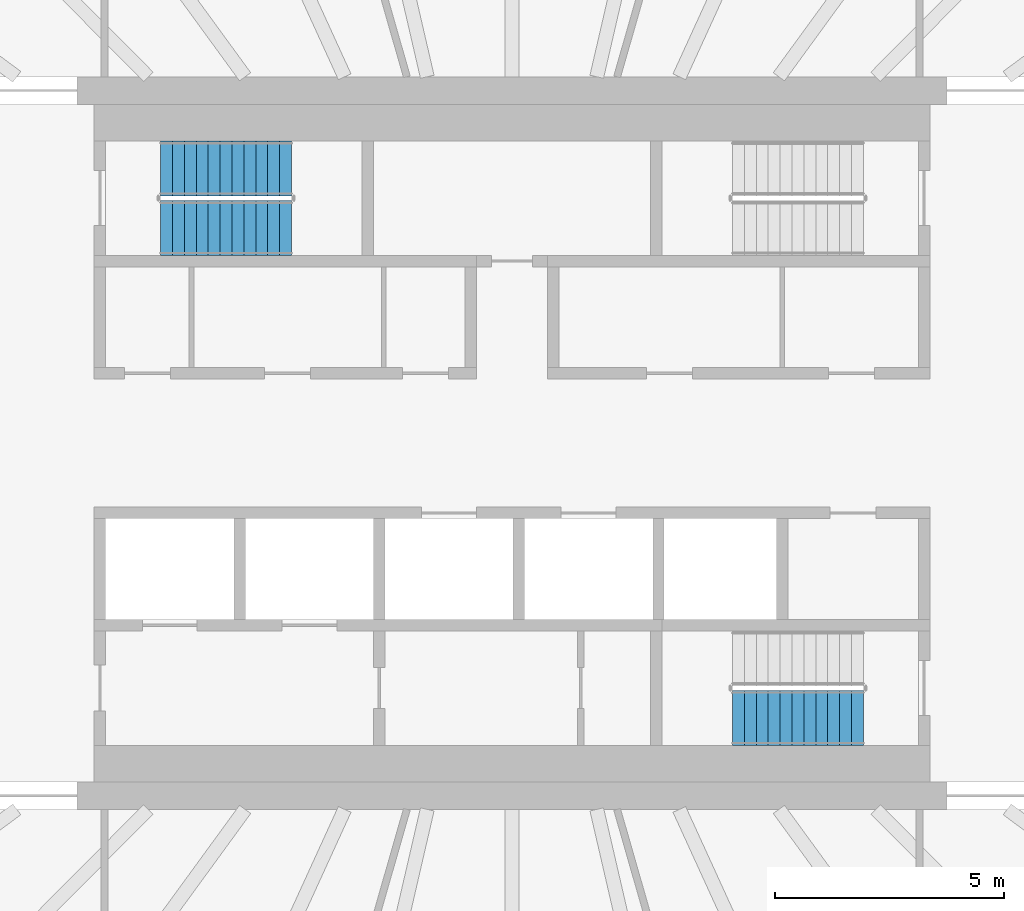
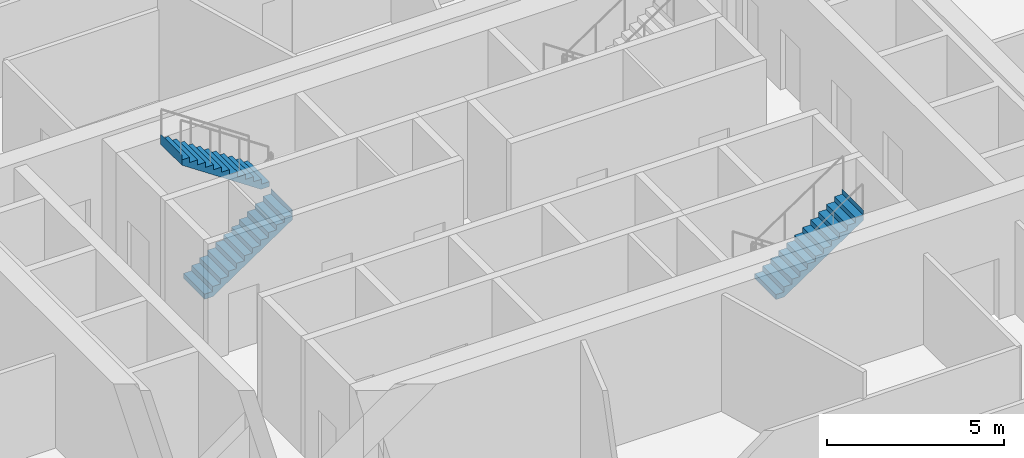
# One storey, part 18 of 25: 3 stair flights, 2 elements without a shape of their own.
"""IFC4 building model written with IfcOpenShell, lengths in metres."""

from ifc_helpers import new_model, si_unit, direction, frame, origin, place, context, subcontext, project, spatial, triangles, material, type_object, element, aggregate, save


model = new_model("IFC4")

# Units and contexts
model_context = context("Model", 3, precision=1e-05, world=origin(), true_north=direction((0.0, 1.0)))
body_context = subcontext(model_context, "Body", "Model", "MODEL_VIEW")
ifc_project = project(units=[si_unit("LENGTHUNIT", "METRE"), si_unit("AREAUNIT", "SQUARE_METRE"), si_unit("VOLUMEUNIT", "CUBIC_METRE"), si_unit("PLANEANGLEUNIT", "RADIAN"), si_unit("MASSUNIT", "GRAM", prefix="KILO")], contexts=[model_context])

# Site, building, storey
site_placement = place(None, origin())
site = spatial("IfcSite", under=ifc_project, at=site_placement, CompositionType="ELEMENT")
building_placement = place(site_placement, origin())
building = spatial("IfcBuilding", under=site, at=building_placement, Name="Sahrelin Media Tower", CompositionType="ELEMENT")
storey_placement = place(building_placement, frame((0.0, 0.0, 63.0)))
storey = spatial("IfcBuildingStorey", under=building, at=storey_placement, Name="L10", CompositionType="ELEMENT", Elevation=63.0)

# Stair, stair flights
ifc_material = material(Name="Concrete C40/50", Category="concrete")
stair_type = type_object("IfcStairType", Name="Exit stair 1200", PredefinedType="HALF_TURN_STAIR", material=ifc_material)
placement = place(storey_placement, origin())
stair_1 = element("IfcStair", 1, at=placement, inside=storey, type_object=stair_type, Name="L10 Exit stair ST1", PredefinedType="HALF_TURN_STAIR")
stair_flight_type = type_object("IfcStairFlightType", Name="Stair flight 1200", PredefinedType="STRAIGHT", material=ifc_material)
stair_flight_1_placement = place(storey_placement, frame((-7.675048828125, 4.699951171875, 0.0), z_axis=(0.0, 0.0, 1.0), x_axis=(1.0, 0.0, 0.0)))
stair_flight_1 = element("IfcStairFlight", 2, at=stair_flight_1_placement, type_object=stair_flight_type, Name="ST1 flight 1", NumberOfRisers=12, NumberOfTreads=11, PredefinedType="STRAIGHT", RiserHeight=0.175, TreadLength=0.26, context=body_context, shape_type="Tessellation", body=[
    triangles([(0.2685546875, 0.60009765625, 0.0), (0.2685546875, 0.300048828125, 0.0), (0.2685546875, 0.0, 0.0), (0.2685546875, -0.300048828125, 0.0), (0.2685546875, -0.60009765625, 0.0), (2.860107421875, 0.60009765625, 1.744384765625), (2.860107421875, 0.300048828125, 1.744384765625), (2.860107421875, 0.0, 1.744384765625), (2.860107421875, -0.300048828125, 1.744384765625), (2.860107421875, -0.60009765625, 1.744384765625), (2.860107421875, 0.60009765625, 2.10009765625), (2.860107421875, 0.300048828125, 2.10009765625), (2.860107421875, 0.0, 2.10009765625), (2.860107421875, -0.300048828125, 2.10009765625), (2.860107421875, -0.60009765625, 2.10009765625), (2.85791015625, 0.60009765625, 2.10009765625), (2.85791015625, 0.300048828125, 2.10009765625), (2.85791015625, 0.0, 2.10009765625), (2.85791015625, -0.300048828125, 2.10009765625), (2.85791015625, -0.60009765625, 2.10009765625), (2.85791015625, 0.60009765625, 1.925048828125), (2.85791015625, 0.300048828125, 1.925048828125), (2.85791015625, 0.0, 1.925048828125), (2.85791015625, -0.300048828125, 1.925048828125), (2.85791015625, -0.60009765625, 1.925048828125), (2.60009765625, 0.60009765625, 1.925048828125), (2.60009765625, 0.300048828125, 1.925048828125), (2.60009765625, 0.0, 1.925048828125), (2.60009765625, -0.300048828125, 1.925048828125), (2.60009765625, -0.60009765625, 1.925048828125), (2.60009765625, 0.60009765625, 1.75), (2.60009765625, 0.300048828125, 1.75), (2.60009765625, 0.0, 1.75), (2.60009765625, -0.300048828125, 1.75), (2.60009765625, -0.60009765625, 1.75), (2.340087890625, 0.60009765625, 1.75), (2.340087890625, 0.300048828125, 1.75), (2.340087890625, 0.0, 1.75), (2.340087890625, -0.300048828125, 1.75), (2.340087890625, -0.60009765625, 1.75), (2.340087890625, 0.60009765625, 1.574951171875), (2.340087890625, 0.300048828125, 1.574951171875), (2.340087890625, 0.0, 1.574951171875), (2.340087890625, -0.300048828125, 1.574951171875), (2.340087890625, -0.60009765625, 1.574951171875), (2.080078125, 0.60009765625, 1.574951171875), (2.080078125, 0.300048828125, 1.574951171875), (2.080078125, 0.0, 1.574951171875), (2.080078125, -0.300048828125, 1.574951171875), (2.080078125, -0.60009765625, 1.574951171875), (2.080078125, 0.60009765625, 1.39990234375), (2.080078125, 0.300048828125, 1.39990234375), (2.080078125, 0.0, 1.39990234375), (2.080078125, -0.300048828125, 1.39990234375), (2.080078125, -0.60009765625, 1.39990234375), (1.820068359375, 0.60009765625, 1.39990234375), (1.820068359375, 0.300048828125, 1.39990234375), (1.820068359375, 0.0, 1.39990234375), (1.820068359375, -0.300048828125, 1.39990234375), (1.820068359375, -0.60009765625, 1.39990234375), (1.820068359375, 0.60009765625, 1.22509765625), (1.820068359375, 0.300048828125, 1.22509765625), (1.820068359375, 0.0, 1.22509765625), (1.820068359375, -0.300048828125, 1.22509765625), (1.820068359375, -0.60009765625, 1.22509765625), (1.56005859375, 0.60009765625, 1.22509765625), (1.56005859375, 0.300048828125, 1.22509765625), (1.56005859375, 0.0, 1.22509765625), (1.56005859375, -0.300048828125, 1.22509765625), (1.56005859375, -0.60009765625, 1.22509765625), (1.56005859375, 0.60009765625, 1.050048828125), (1.56005859375, 0.300048828125, 1.050048828125), (1.56005859375, 0.0, 1.050048828125), (1.56005859375, -0.300048828125, 1.050048828125), (1.56005859375, -0.60009765625, 1.050048828125), (1.300048828125, 0.60009765625, 1.050048828125), (1.300048828125, 0.300048828125, 1.050048828125), (1.300048828125, 0.0, 1.050048828125), (1.300048828125, -0.300048828125, 1.050048828125), (1.300048828125, -0.60009765625, 1.050048828125), (1.300048828125, 0.60009765625, 0.875), (1.300048828125, 0.300048828125, 0.875), (1.300048828125, 0.0, 0.875), (1.300048828125, -0.300048828125, 0.875), (1.300048828125, -0.60009765625, 0.875), (1.0400390625, 0.60009765625, 0.875), (1.0400390625, 0.300048828125, 0.875), (1.0400390625, 0.0, 0.875), (1.0400390625, -0.300048828125, 0.875), (1.0400390625, -0.60009765625, 0.875), (1.0400390625, 0.60009765625, 0.699951171875), (1.0400390625, 0.300048828125, 0.699951171875), (1.0400390625, 0.0, 0.699951171875), (1.0400390625, -0.300048828125, 0.699951171875), (1.0400390625, -0.60009765625, 0.699951171875), (0.780029296875, 0.60009765625, 0.699951171875), (0.780029296875, 0.300048828125, 0.699951171875), (0.780029296875, 0.0, 0.699951171875), (0.780029296875, -0.300048828125, 0.699951171875), (0.780029296875, -0.60009765625, 0.699951171875), (0.780029296875, 0.60009765625, 0.52490234375), (0.780029296875, 0.300048828125, 0.52490234375), (0.780029296875, 0.0, 0.52490234375), (0.780029296875, -0.300048828125, 0.52490234375), (0.780029296875, -0.60009765625, 0.52490234375), (0.52001953125, 0.60009765625, 0.52490234375), (0.52001953125, 0.300048828125, 0.52490234375), (0.52001953125, 0.0, 0.52490234375), (0.52001953125, -0.300048828125, 0.52490234375), (0.52001953125, -0.60009765625, 0.52490234375), (0.52001953125, 0.60009765625, 0.35009765625), (0.52001953125, 0.300048828125, 0.35009765625), (0.52001953125, 0.0, 0.35009765625), (0.52001953125, -0.300048828125, 0.35009765625), (0.52001953125, -0.60009765625, 0.35009765625), (0.260009765625, 0.60009765625, 0.35009765625), (0.260009765625, 0.300048828125, 0.35009765625), (0.260009765625, 0.0, 0.35009765625), (0.260009765625, -0.300048828125, 0.35009765625), (0.260009765625, -0.60009765625, 0.35009765625), (0.260009765625, 0.60009765625, 0.175048828125), (0.260009765625, 0.300048828125, 0.175048828125), (0.260009765625, 0.0, 0.175048828125), (0.260009765625, -0.300048828125, 0.175048828125), (0.260009765625, -0.60009765625, 0.175048828125), (0.0, 0.60009765625, 0.175048828125), (0.0, 0.300048828125, 0.175048828125), (0.0, 0.0, 0.175048828125), (0.0, -0.300048828125, 0.175048828125), (0.0, -0.60009765625, 0.175048828125), (0.0, 0.60009765625, 0.0), (0.0, 0.300048828125, 0.0), (0.0, 0.0, 0.0), (0.0, -0.300048828125, 0.0), (0.0, -0.60009765625, 0.0)], [[1, 6, 7], [1, 7, 2], [2, 7, 8], [2, 8, 3], [3, 8, 9], [3, 9, 4], [4, 9, 10], [4, 10, 5], [6, 11, 12], [6, 12, 7], [7, 12, 13], [7, 13, 8], [8, 13, 14], [8, 14, 9], [9, 14, 15], [9, 15, 10], [11, 16, 17], [11, 17, 12], [12, 17, 18], [12, 18, 13], [13, 18, 19], [13, 19, 14], [14, 19, 20], [14, 20, 15], [16, 21, 22], [16, 22, 17], [17, 22, 23], [17, 23, 18], [18, 23, 24], [18, 24, 19], [19, 24, 25], [19, 25, 20], [21, 26, 27], [21, 27, 22], [22, 27, 28], [22, 28, 23], [23, 28, 29], [23, 29, 24], [24, 29, 30], [24, 30, 25], [26, 31, 32], [26, 32, 27], [27, 32, 33], [27, 33, 28], [28, 33, 34], [28, 34, 29], [29, 34, 35], [29, 35, 30], [31, 36, 37], [31, 37, 32], [32, 37, 38], [32, 38, 33], [33, 38, 39], [33, 39, 34], [34, 39, 40], [34, 40, 35], [36, 41, 42], [36, 42, 37], [37, 42, 43], [37, 43, 38], [38, 43, 44], [38, 44, 39], [39, 44, 45], [39, 45, 40], [41, 46, 47], [41, 47, 42], [42, 47, 48], [42, 48, 43], [43, 48, 49], [43, 49, 44], [44, 49, 50], [44, 50, 45], [46, 51, 52], [46, 52, 47], [47, 52, 53], [47, 53, 48], [48, 53, 54], [48, 54, 49], [49, 54, 55], [49, 55, 50], [51, 56, 57], [51, 57, 52], [52, 57, 58], [52, 58, 53], [53, 58, 59], [53, 59, 54], [54, 59, 60], [54, 60, 55], [56, 61, 62], [56, 62, 57], [57, 62, 63], [57, 63, 58], [58, 63, 64], [58, 64, 59], [59, 64, 65], [59, 65, 60], [61, 66, 67], [61, 67, 62], [62, 67, 68], [62, 68, 63], [63, 68, 69], [63, 69, 64], [64, 69, 70], [64, 70, 65], [66, 71, 72], [66, 72, 67], [67, 72, 73], [67, 73, 68], [68, 73, 74], [68, 74, 69], [69, 74, 75], [69, 75, 70], [71, 76, 77], [71, 77, 72], [72, 77, 78], [72, 78, 73], [73, 78, 79], [73, 79, 74], [74, 79, 80], [74, 80, 75], [76, 81, 82], [76, 82, 77], [77, 82, 83], [77, 83, 78], [78, 83, 84], [78, 84, 79], [79, 84, 85], [79, 85, 80], [81, 86, 87], [81, 87, 82], [82, 87, 88], [82, 88, 83], [83, 88, 89], [83, 89, 84], [84, 89, 90], [84, 90, 85], [86, 91, 92], [86, 92, 87], [87, 92, 93], [87, 93, 88], [88, 93, 94], [88, 94, 89], [89, 94, 95], [89, 95, 90], [91, 96, 97], [91, 97, 92], [92, 97, 98], [92, 98, 93], [93, 98, 99], [93, 99, 94], [94, 99, 100], [94, 100, 95], [96, 101, 102], [96, 102, 97], [97, 102, 103], [97, 103, 98], [98, 103, 104], [98, 104, 99], [99, 104, 105], [99, 105, 100], [101, 106, 107], [101, 107, 102], [102, 107, 108], [102, 108, 103], [103, 108, 109], [103, 109, 104], [104, 109, 110], [104, 110, 105], [106, 111, 112], [106, 112, 107], [107, 112, 113], [107, 113, 108], [108, 113, 114], [108, 114, 109], [109, 114, 115], [109, 115, 110], [111, 116, 117], [111, 117, 112], [112, 117, 118], [112, 118, 113], [113, 118, 119], [113, 119, 114], [114, 119, 120], [114, 120, 115], [116, 121, 122], [116, 122, 117], [117, 122, 123], [117, 123, 118], [118, 123, 124], [118, 124, 119], [119, 124, 125], [119, 125, 120], [121, 126, 127], [121, 127, 122], [122, 127, 128], [122, 128, 123], [123, 128, 129], [123, 129, 124], [124, 129, 130], [124, 130, 125], [126, 131, 132], [126, 132, 127], [127, 132, 133], [127, 133, 128], [128, 133, 134], [128, 134, 129], [129, 134, 135], [129, 135, 130], [131, 1, 2], [131, 2, 132], [132, 2, 3], [132, 3, 133], [133, 3, 4], [133, 4, 134], [134, 4, 5], [134, 5, 135], [125, 130, 135], [121, 131, 126], [125, 115, 120], [121, 116, 111], [115, 105, 110], [111, 106, 101], [105, 95, 100], [101, 96, 91], [95, 85, 90], [91, 86, 81], [85, 75, 80], [81, 76, 71], [75, 65, 70], [71, 66, 61], [65, 55, 60], [61, 56, 51], [55, 45, 50], [51, 46, 41], [45, 35, 40], [41, 36, 31], [35, 25, 30], [31, 26, 21], [25, 15, 20], [21, 16, 11], [135, 5, 125], [131, 121, 1], [95, 105, 5], [91, 1, 101], [5, 10, 75], [1, 71, 6], [10, 35, 45], [6, 41, 31], [25, 10, 15], [21, 11, 6], [115, 125, 5], [111, 1, 121], [75, 85, 5], [71, 1, 81], [35, 10, 25], [31, 21, 6], [105, 115, 5], [101, 1, 111], [45, 55, 10], [41, 6, 51], [85, 95, 5], [81, 1, 91], [65, 10, 55], [61, 51, 6], [10, 65, 75], [6, 71, 61]], closed=True),
])
stair_flight_2_placement = place(storey_placement, frame((-4.81494140625, 6.0, 2.10009765625), z_axis=(0.0, 0.0, 1.0), x_axis=(-1.0, 0.0, 0.0)))
stair_flight_2 = element("IfcStairFlight", 3, at=stair_flight_2_placement, type_object=stair_flight_type, Name="ST1 flight 2", NumberOfRisers=12, NumberOfTreads=11, PredefinedType="STRAIGHT", RiserHeight=0.175, TreadLength=0.26, context=body_context, shape_type="Tessellation", body=[
    triangles([(0.2685546875, 0.60009765625, 0.0), (0.2685546875, 0.300048828125, 0.0), (0.2685546875, 0.0, 0.0), (0.2685546875, -0.300048828125, 0.0), (0.2685546875, -0.60009765625, 0.0), (2.860107421875, 0.60009765625, 1.744384765625), (2.860107421875, 0.300048828125, 1.744384765625), (2.860107421875, 0.0, 1.744384765625), (2.860107421875, -0.300048828125, 1.744384765625), (2.860107421875, -0.60009765625, 1.744384765625), (2.860107421875, 0.60009765625, 2.10009765625), (2.860107421875, 0.300048828125, 2.10009765625), (2.860107421875, 0.0, 2.10009765625), (2.860107421875, -0.300048828125, 2.10009765625), (2.860107421875, -0.60009765625, 2.10009765625), (2.85791015625, 0.60009765625, 2.10009765625), (2.85791015625, 0.300048828125, 2.10009765625), (2.85791015625, 0.0, 2.10009765625), (2.85791015625, -0.300048828125, 2.10009765625), (2.85791015625, -0.60009765625, 2.10009765625), (2.85791015625, 0.60009765625, 1.925048828125), (2.85791015625, 0.300048828125, 1.925048828125), (2.85791015625, 0.0, 1.925048828125), (2.85791015625, -0.300048828125, 1.925048828125), (2.85791015625, -0.60009765625, 1.925048828125), (2.60009765625, 0.60009765625, 1.925048828125), (2.60009765625, 0.300048828125, 1.925048828125), (2.60009765625, 0.0, 1.925048828125), (2.60009765625, -0.300048828125, 1.925048828125), (2.60009765625, -0.60009765625, 1.925048828125), (2.60009765625, 0.60009765625, 1.75), (2.60009765625, 0.300048828125, 1.75), (2.60009765625, 0.0, 1.75), (2.60009765625, -0.300048828125, 1.75), (2.60009765625, -0.60009765625, 1.75), (2.340087890625, 0.60009765625, 1.75), (2.340087890625, 0.300048828125, 1.75), (2.340087890625, 0.0, 1.75), (2.340087890625, -0.300048828125, 1.75), (2.340087890625, -0.60009765625, 1.75), (2.340087890625, 0.60009765625, 1.574951171875), (2.340087890625, 0.300048828125, 1.574951171875), (2.340087890625, 0.0, 1.574951171875), (2.340087890625, -0.300048828125, 1.574951171875), (2.340087890625, -0.60009765625, 1.574951171875), (2.080078125, 0.60009765625, 1.574951171875), (2.080078125, 0.300048828125, 1.574951171875), (2.080078125, 0.0, 1.574951171875), (2.080078125, -0.300048828125, 1.574951171875), (2.080078125, -0.60009765625, 1.574951171875), (2.080078125, 0.60009765625, 1.39990234375), (2.080078125, 0.300048828125, 1.39990234375), (2.080078125, 0.0, 1.39990234375), (2.080078125, -0.300048828125, 1.39990234375), (2.080078125, -0.60009765625, 1.39990234375), (1.820068359375, 0.60009765625, 1.39990234375), (1.820068359375, 0.300048828125, 1.39990234375), (1.820068359375, 0.0, 1.39990234375), (1.820068359375, -0.300048828125, 1.39990234375), (1.820068359375, -0.60009765625, 1.39990234375), (1.820068359375, 0.60009765625, 1.22509765625), (1.820068359375, 0.300048828125, 1.22509765625), (1.820068359375, 0.0, 1.22509765625), (1.820068359375, -0.300048828125, 1.22509765625), (1.820068359375, -0.60009765625, 1.22509765625), (1.56005859375, 0.60009765625, 1.22509765625), (1.56005859375, 0.300048828125, 1.22509765625), (1.56005859375, 0.0, 1.22509765625), (1.56005859375, -0.300048828125, 1.22509765625), (1.56005859375, -0.60009765625, 1.22509765625), (1.56005859375, 0.60009765625, 1.050048828125), (1.56005859375, 0.300048828125, 1.050048828125), (1.56005859375, 0.0, 1.050048828125), (1.56005859375, -0.300048828125, 1.050048828125), (1.56005859375, -0.60009765625, 1.050048828125), (1.300048828125, 0.60009765625, 1.050048828125), (1.300048828125, 0.300048828125, 1.050048828125), (1.300048828125, 0.0, 1.050048828125), (1.300048828125, -0.300048828125, 1.050048828125), (1.300048828125, -0.60009765625, 1.050048828125), (1.300048828125, 0.60009765625, 0.875), (1.300048828125, 0.300048828125, 0.875), (1.300048828125, 0.0, 0.875), (1.300048828125, -0.300048828125, 0.875), (1.300048828125, -0.60009765625, 0.875), (1.0400390625, 0.60009765625, 0.875), (1.0400390625, 0.300048828125, 0.875), (1.0400390625, 0.0, 0.875), (1.0400390625, -0.300048828125, 0.875), (1.0400390625, -0.60009765625, 0.875), (1.0400390625, 0.60009765625, 0.699951171875), (1.0400390625, 0.300048828125, 0.699951171875), (1.0400390625, 0.0, 0.699951171875), (1.0400390625, -0.300048828125, 0.699951171875), (1.0400390625, -0.60009765625, 0.699951171875), (0.780029296875, 0.60009765625, 0.699951171875), (0.780029296875, 0.300048828125, 0.699951171875), (0.780029296875, 0.0, 0.699951171875), (0.780029296875, -0.300048828125, 0.699951171875), (0.780029296875, -0.60009765625, 0.699951171875), (0.780029296875, 0.60009765625, 0.52490234375), (0.780029296875, 0.300048828125, 0.52490234375), (0.780029296875, 0.0, 0.52490234375), (0.780029296875, -0.300048828125, 0.52490234375), (0.780029296875, -0.60009765625, 0.52490234375), (0.52001953125, 0.60009765625, 0.52490234375), (0.52001953125, 0.300048828125, 0.52490234375), (0.52001953125, 0.0, 0.52490234375), (0.52001953125, -0.300048828125, 0.52490234375), (0.52001953125, -0.60009765625, 0.52490234375), (0.52001953125, 0.60009765625, 0.35009765625), (0.52001953125, 0.300048828125, 0.35009765625), (0.52001953125, 0.0, 0.35009765625), (0.52001953125, -0.300048828125, 0.35009765625), (0.52001953125, -0.60009765625, 0.35009765625), (0.260009765625, 0.60009765625, 0.35009765625), (0.260009765625, 0.300048828125, 0.35009765625), (0.260009765625, 0.0, 0.35009765625), (0.260009765625, -0.300048828125, 0.35009765625), (0.260009765625, -0.60009765625, 0.35009765625), (0.260009765625, 0.60009765625, 0.175048828125), (0.260009765625, 0.300048828125, 0.175048828125), (0.260009765625, 0.0, 0.175048828125), (0.260009765625, -0.300048828125, 0.175048828125), (0.260009765625, -0.60009765625, 0.175048828125), (0.0, 0.60009765625, 0.175048828125), (0.0, 0.300048828125, 0.175048828125), (0.0, 0.0, 0.175048828125), (0.0, -0.300048828125, 0.175048828125), (0.0, -0.60009765625, 0.175048828125), (0.0, 0.60009765625, 0.0), (0.0, 0.300048828125, 0.0), (0.0, 0.0, 0.0), (0.0, -0.300048828125, 0.0), (0.0, -0.60009765625, 0.0)], [[1, 6, 7], [1, 7, 2], [2, 7, 8], [2, 8, 3], [3, 8, 9], [3, 9, 4], [4, 9, 10], [4, 10, 5], [6, 11, 12], [6, 12, 7], [7, 12, 13], [7, 13, 8], [8, 13, 14], [8, 14, 9], [9, 14, 15], [9, 15, 10], [11, 16, 17], [11, 17, 12], [12, 17, 18], [12, 18, 13], [13, 18, 19], [13, 19, 14], [14, 19, 20], [14, 20, 15], [16, 21, 22], [16, 22, 17], [17, 22, 23], [17, 23, 18], [18, 23, 24], [18, 24, 19], [19, 24, 25], [19, 25, 20], [21, 26, 27], [21, 27, 22], [22, 27, 28], [22, 28, 23], [23, 28, 29], [23, 29, 24], [24, 29, 30], [24, 30, 25], [26, 31, 32], [26, 32, 27], [27, 32, 33], [27, 33, 28], [28, 33, 34], [28, 34, 29], [29, 34, 35], [29, 35, 30], [31, 36, 37], [31, 37, 32], [32, 37, 38], [32, 38, 33], [33, 38, 39], [33, 39, 34], [34, 39, 40], [34, 40, 35], [36, 41, 42], [36, 42, 37], [37, 42, 43], [37, 43, 38], [38, 43, 44], [38, 44, 39], [39, 44, 45], [39, 45, 40], [41, 46, 47], [41, 47, 42], [42, 47, 48], [42, 48, 43], [43, 48, 49], [43, 49, 44], [44, 49, 50], [44, 50, 45], [46, 51, 52], [46, 52, 47], [47, 52, 53], [47, 53, 48], [48, 53, 54], [48, 54, 49], [49, 54, 55], [49, 55, 50], [51, 56, 57], [51, 57, 52], [52, 57, 58], [52, 58, 53], [53, 58, 59], [53, 59, 54], [54, 59, 60], [54, 60, 55], [56, 61, 62], [56, 62, 57], [57, 62, 63], [57, 63, 58], [58, 63, 64], [58, 64, 59], [59, 64, 65], [59, 65, 60], [61, 66, 67], [61, 67, 62], [62, 67, 68], [62, 68, 63], [63, 68, 69], [63, 69, 64], [64, 69, 70], [64, 70, 65], [66, 71, 72], [66, 72, 67], [67, 72, 73], [67, 73, 68], [68, 73, 74], [68, 74, 69], [69, 74, 75], [69, 75, 70], [71, 76, 77], [71, 77, 72], [72, 77, 78], [72, 78, 73], [73, 78, 79], [73, 79, 74], [74, 79, 80], [74, 80, 75], [76, 81, 82], [76, 82, 77], [77, 82, 83], [77, 83, 78], [78, 83, 84], [78, 84, 79], [79, 84, 85], [79, 85, 80], [81, 86, 87], [81, 87, 82], [82, 87, 88], [82, 88, 83], [83, 88, 89], [83, 89, 84], [84, 89, 90], [84, 90, 85], [86, 91, 92], [86, 92, 87], [87, 92, 93], [87, 93, 88], [88, 93, 94], [88, 94, 89], [89, 94, 95], [89, 95, 90], [91, 96, 97], [91, 97, 92], [92, 97, 98], [92, 98, 93], [93, 98, 99], [93, 99, 94], [94, 99, 100], [94, 100, 95], [96, 101, 102], [96, 102, 97], [97, 102, 103], [97, 103, 98], [98, 103, 104], [98, 104, 99], [99, 104, 105], [99, 105, 100], [101, 106, 107], [101, 107, 102], [102, 107, 108], [102, 108, 103], [103, 108, 109], [103, 109, 104], [104, 109, 110], [104, 110, 105], [106, 111, 112], [106, 112, 107], [107, 112, 113], [107, 113, 108], [108, 113, 114], [108, 114, 109], [109, 114, 115], [109, 115, 110], [111, 116, 117], [111, 117, 112], [112, 117, 118], [112, 118, 113], [113, 118, 119], [113, 119, 114], [114, 119, 120], [114, 120, 115], [116, 121, 122], [116, 122, 117], [117, 122, 123], [117, 123, 118], [118, 123, 124], [118, 124, 119], [119, 124, 125], [119, 125, 120], [121, 126, 127], [121, 127, 122], [122, 127, 128], [122, 128, 123], [123, 128, 129], [123, 129, 124], [124, 129, 130], [124, 130, 125], [126, 131, 132], [126, 132, 127], [127, 132, 133], [127, 133, 128], [128, 133, 134], [128, 134, 129], [129, 134, 135], [129, 135, 130], [131, 1, 2], [131, 2, 132], [132, 2, 3], [132, 3, 133], [133, 3, 4], [133, 4, 134], [134, 4, 5], [134, 5, 135], [125, 130, 135], [121, 131, 126], [125, 115, 120], [121, 116, 111], [115, 105, 110], [111, 106, 101], [105, 95, 100], [101, 96, 91], [95, 85, 90], [91, 86, 81], [85, 75, 80], [81, 76, 71], [75, 65, 70], [71, 66, 61], [65, 55, 60], [61, 56, 51], [55, 45, 50], [51, 46, 41], [45, 35, 40], [41, 36, 31], [35, 25, 30], [31, 26, 21], [25, 15, 20], [21, 16, 11], [135, 5, 125], [131, 121, 1], [95, 105, 5], [91, 1, 101], [5, 10, 75], [1, 71, 6], [10, 35, 45], [6, 41, 31], [25, 10, 15], [21, 11, 6], [115, 125, 5], [111, 1, 121], [75, 85, 5], [71, 1, 81], [35, 10, 25], [31, 21, 6], [105, 115, 5], [101, 1, 111], [45, 55, 10], [41, 6, 51], [85, 95, 5], [81, 1, 91], [65, 10, 55], [61, 51, 6], [10, 65, 75], [6, 71, 61]], closed=True),
])
aggregate(stair_1, [stair_flight_1, stair_flight_2])

# Stair, stair flight
stair_2 = element("IfcStair", 4, at=placement, inside=storey, type_object=stair_type, Name="L10 Exit stair ST2", PredefinedType="HALF_TURN_STAIR")
stair_flight_3_placement = place(storey_placement, frame((4.81494140625, -6.0, 2.10009765625), z_axis=(0.0, 0.0, 1.0), x_axis=(1.0, 0.0, 0.0)))
stair_flight_3 = element("IfcStairFlight", 5, at=stair_flight_3_placement, type_object=stair_flight_type, Name="ST2 flight 2", NumberOfRisers=12, NumberOfTreads=11, PredefinedType="STRAIGHT", RiserHeight=0.175, TreadLength=0.26, context=body_context, shape_type="Tessellation", body=[
    triangles([(0.2685546875, 0.60009765625, 0.0), (0.2685546875, 0.300048828125, 0.0), (0.2685546875, 0.0, 0.0), (0.2685546875, -0.300048828125, 0.0), (0.2685546875, -0.60009765625, 0.0), (2.860107421875, 0.60009765625, 1.744384765625), (2.860107421875, 0.300048828125, 1.744384765625), (2.860107421875, 0.0, 1.744384765625), (2.860107421875, -0.300048828125, 1.744384765625), (2.860107421875, -0.60009765625, 1.744384765625), (2.860107421875, 0.60009765625, 2.10009765625), (2.860107421875, 0.300048828125, 2.10009765625), (2.860107421875, 0.0, 2.10009765625), (2.860107421875, -0.300048828125, 2.10009765625), (2.860107421875, -0.60009765625, 2.10009765625), (2.85791015625, 0.60009765625, 2.10009765625), (2.85791015625, 0.300048828125, 2.10009765625), (2.85791015625, 0.0, 2.10009765625), (2.85791015625, -0.300048828125, 2.10009765625), (2.85791015625, -0.60009765625, 2.10009765625), (2.85791015625, 0.60009765625, 1.925048828125), (2.85791015625, 0.300048828125, 1.925048828125), (2.85791015625, 0.0, 1.925048828125), (2.85791015625, -0.300048828125, 1.925048828125), (2.85791015625, -0.60009765625, 1.925048828125), (2.60009765625, 0.60009765625, 1.925048828125), (2.60009765625, 0.300048828125, 1.925048828125), (2.60009765625, 0.0, 1.925048828125), (2.60009765625, -0.300048828125, 1.925048828125), (2.60009765625, -0.60009765625, 1.925048828125), (2.60009765625, 0.60009765625, 1.75), (2.60009765625, 0.300048828125, 1.75), (2.60009765625, 0.0, 1.75), (2.60009765625, -0.300048828125, 1.75), (2.60009765625, -0.60009765625, 1.75), (2.340087890625, 0.60009765625, 1.75), (2.340087890625, 0.300048828125, 1.75), (2.340087890625, 0.0, 1.75), (2.340087890625, -0.300048828125, 1.75), (2.340087890625, -0.60009765625, 1.75), (2.340087890625, 0.60009765625, 1.574951171875), (2.340087890625, 0.300048828125, 1.574951171875), (2.340087890625, 0.0, 1.574951171875), (2.340087890625, -0.300048828125, 1.574951171875), (2.340087890625, -0.60009765625, 1.574951171875), (2.080078125, 0.60009765625, 1.574951171875), (2.080078125, 0.300048828125, 1.574951171875), (2.080078125, 0.0, 1.574951171875), (2.080078125, -0.300048828125, 1.574951171875), (2.080078125, -0.60009765625, 1.574951171875), (2.080078125, 0.60009765625, 1.39990234375), (2.080078125, 0.300048828125, 1.39990234375), (2.080078125, 0.0, 1.39990234375), (2.080078125, -0.300048828125, 1.39990234375), (2.080078125, -0.60009765625, 1.39990234375), (1.820068359375, 0.60009765625, 1.39990234375), (1.820068359375, 0.300048828125, 1.39990234375), (1.820068359375, 0.0, 1.39990234375), (1.820068359375, -0.300048828125, 1.39990234375), (1.820068359375, -0.60009765625, 1.39990234375), (1.820068359375, 0.60009765625, 1.22509765625), (1.820068359375, 0.300048828125, 1.22509765625), (1.820068359375, 0.0, 1.22509765625), (1.820068359375, -0.300048828125, 1.22509765625), (1.820068359375, -0.60009765625, 1.22509765625), (1.56005859375, 0.60009765625, 1.22509765625), (1.56005859375, 0.300048828125, 1.22509765625), (1.56005859375, 0.0, 1.22509765625), (1.56005859375, -0.300048828125, 1.22509765625), (1.56005859375, -0.60009765625, 1.22509765625), (1.56005859375, 0.60009765625, 1.050048828125), (1.56005859375, 0.300048828125, 1.050048828125), (1.56005859375, 0.0, 1.050048828125), (1.56005859375, -0.300048828125, 1.050048828125), (1.56005859375, -0.60009765625, 1.050048828125), (1.300048828125, 0.60009765625, 1.050048828125), (1.300048828125, 0.300048828125, 1.050048828125), (1.300048828125, 0.0, 1.050048828125), (1.300048828125, -0.300048828125, 1.050048828125), (1.300048828125, -0.60009765625, 1.050048828125), (1.300048828125, 0.60009765625, 0.875), (1.300048828125, 0.300048828125, 0.875), (1.300048828125, 0.0, 0.875), (1.300048828125, -0.300048828125, 0.875), (1.300048828125, -0.60009765625, 0.875), (1.0400390625, 0.60009765625, 0.875), (1.0400390625, 0.300048828125, 0.875), (1.0400390625, 0.0, 0.875), (1.0400390625, -0.300048828125, 0.875), (1.0400390625, -0.60009765625, 0.875), (1.0400390625, 0.60009765625, 0.699951171875), (1.0400390625, 0.300048828125, 0.699951171875), (1.0400390625, 0.0, 0.699951171875), (1.0400390625, -0.300048828125, 0.699951171875), (1.0400390625, -0.60009765625, 0.699951171875), (0.780029296875, 0.60009765625, 0.699951171875), (0.780029296875, 0.300048828125, 0.699951171875), (0.780029296875, 0.0, 0.699951171875), (0.780029296875, -0.300048828125, 0.699951171875), (0.780029296875, -0.60009765625, 0.699951171875), (0.780029296875, 0.60009765625, 0.52490234375), (0.780029296875, 0.300048828125, 0.52490234375), (0.780029296875, 0.0, 0.52490234375), (0.780029296875, -0.300048828125, 0.52490234375), (0.780029296875, -0.60009765625, 0.52490234375), (0.52001953125, 0.60009765625, 0.52490234375), (0.52001953125, 0.300048828125, 0.52490234375), (0.52001953125, 0.0, 0.52490234375), (0.52001953125, -0.300048828125, 0.52490234375), (0.52001953125, -0.60009765625, 0.52490234375), (0.52001953125, 0.60009765625, 0.35009765625), (0.52001953125, 0.300048828125, 0.35009765625), (0.52001953125, 0.0, 0.35009765625), (0.52001953125, -0.300048828125, 0.35009765625), (0.52001953125, -0.60009765625, 0.35009765625), (0.260009765625, 0.60009765625, 0.35009765625), (0.260009765625, 0.300048828125, 0.35009765625), (0.260009765625, 0.0, 0.35009765625), (0.260009765625, -0.300048828125, 0.35009765625), (0.260009765625, -0.60009765625, 0.35009765625), (0.260009765625, 0.60009765625, 0.175048828125), (0.260009765625, 0.300048828125, 0.175048828125), (0.260009765625, 0.0, 0.175048828125), (0.260009765625, -0.300048828125, 0.175048828125), (0.260009765625, -0.60009765625, 0.175048828125), (0.0, 0.60009765625, 0.175048828125), (0.0, 0.300048828125, 0.175048828125), (0.0, 0.0, 0.175048828125), (0.0, -0.300048828125, 0.175048828125), (0.0, -0.60009765625, 0.175048828125), (0.0, 0.60009765625, 0.0), (0.0, 0.300048828125, 0.0), (0.0, 0.0, 0.0), (0.0, -0.300048828125, 0.0), (0.0, -0.60009765625, 0.0)], [[1, 6, 7], [1, 7, 2], [2, 7, 8], [2, 8, 3], [3, 8, 9], [3, 9, 4], [4, 9, 10], [4, 10, 5], [6, 11, 12], [6, 12, 7], [7, 12, 13], [7, 13, 8], [8, 13, 14], [8, 14, 9], [9, 14, 15], [9, 15, 10], [11, 16, 17], [11, 17, 12], [12, 17, 18], [12, 18, 13], [13, 18, 19], [13, 19, 14], [14, 19, 20], [14, 20, 15], [16, 21, 22], [16, 22, 17], [17, 22, 23], [17, 23, 18], [18, 23, 24], [18, 24, 19], [19, 24, 25], [19, 25, 20], [21, 26, 27], [21, 27, 22], [22, 27, 28], [22, 28, 23], [23, 28, 29], [23, 29, 24], [24, 29, 30], [24, 30, 25], [26, 31, 32], [26, 32, 27], [27, 32, 33], [27, 33, 28], [28, 33, 34], [28, 34, 29], [29, 34, 35], [29, 35, 30], [31, 36, 37], [31, 37, 32], [32, 37, 38], [32, 38, 33], [33, 38, 39], [33, 39, 34], [34, 39, 40], [34, 40, 35], [36, 41, 42], [36, 42, 37], [37, 42, 43], [37, 43, 38], [38, 43, 44], [38, 44, 39], [39, 44, 45], [39, 45, 40], [41, 46, 47], [41, 47, 42], [42, 47, 48], [42, 48, 43], [43, 48, 49], [43, 49, 44], [44, 49, 50], [44, 50, 45], [46, 51, 52], [46, 52, 47], [47, 52, 53], [47, 53, 48], [48, 53, 54], [48, 54, 49], [49, 54, 55], [49, 55, 50], [51, 56, 57], [51, 57, 52], [52, 57, 58], [52, 58, 53], [53, 58, 59], [53, 59, 54], [54, 59, 60], [54, 60, 55], [56, 61, 62], [56, 62, 57], [57, 62, 63], [57, 63, 58], [58, 63, 64], [58, 64, 59], [59, 64, 65], [59, 65, 60], [61, 66, 67], [61, 67, 62], [62, 67, 68], [62, 68, 63], [63, 68, 69], [63, 69, 64], [64, 69, 70], [64, 70, 65], [66, 71, 72], [66, 72, 67], [67, 72, 73], [67, 73, 68], [68, 73, 74], [68, 74, 69], [69, 74, 75], [69, 75, 70], [71, 76, 77], [71, 77, 72], [72, 77, 78], [72, 78, 73], [73, 78, 79], [73, 79, 74], [74, 79, 80], [74, 80, 75], [76, 81, 82], [76, 82, 77], [77, 82, 83], [77, 83, 78], [78, 83, 84], [78, 84, 79], [79, 84, 85], [79, 85, 80], [81, 86, 87], [81, 87, 82], [82, 87, 88], [82, 88, 83], [83, 88, 89], [83, 89, 84], [84, 89, 90], [84, 90, 85], [86, 91, 92], [86, 92, 87], [87, 92, 93], [87, 93, 88], [88, 93, 94], [88, 94, 89], [89, 94, 95], [89, 95, 90], [91, 96, 97], [91, 97, 92], [92, 97, 98], [92, 98, 93], [93, 98, 99], [93, 99, 94], [94, 99, 100], [94, 100, 95], [96, 101, 102], [96, 102, 97], [97, 102, 103], [97, 103, 98], [98, 103, 104], [98, 104, 99], [99, 104, 105], [99, 105, 100], [101, 106, 107], [101, 107, 102], [102, 107, 108], [102, 108, 103], [103, 108, 109], [103, 109, 104], [104, 109, 110], [104, 110, 105], [106, 111, 112], [106, 112, 107], [107, 112, 113], [107, 113, 108], [108, 113, 114], [108, 114, 109], [109, 114, 115], [109, 115, 110], [111, 116, 117], [111, 117, 112], [112, 117, 118], [112, 118, 113], [113, 118, 119], [113, 119, 114], [114, 119, 120], [114, 120, 115], [116, 121, 122], [116, 122, 117], [117, 122, 123], [117, 123, 118], [118, 123, 124], [118, 124, 119], [119, 124, 125], [119, 125, 120], [121, 126, 127], [121, 127, 122], [122, 127, 128], [122, 128, 123], [123, 128, 129], [123, 129, 124], [124, 129, 130], [124, 130, 125], [126, 131, 132], [126, 132, 127], [127, 132, 133], [127, 133, 128], [128, 133, 134], [128, 134, 129], [129, 134, 135], [129, 135, 130], [131, 1, 2], [131, 2, 132], [132, 2, 3], [132, 3, 133], [133, 3, 4], [133, 4, 134], [134, 4, 5], [134, 5, 135], [125, 130, 135], [121, 131, 126], [125, 115, 120], [121, 116, 111], [115, 105, 110], [111, 106, 101], [105, 95, 100], [101, 96, 91], [95, 85, 90], [91, 86, 81], [85, 75, 80], [81, 76, 71], [75, 65, 70], [71, 66, 61], [65, 55, 60], [61, 56, 51], [55, 45, 50], [51, 46, 41], [45, 35, 40], [41, 36, 31], [35, 25, 30], [31, 26, 21], [25, 15, 20], [21, 16, 11], [135, 5, 125], [131, 121, 1], [95, 105, 5], [91, 1, 101], [5, 10, 75], [1, 71, 6], [10, 35, 45], [6, 41, 31], [25, 10, 15], [21, 11, 6], [115, 125, 5], [111, 1, 121], [75, 85, 5], [71, 1, 81], [35, 10, 25], [31, 21, 6], [105, 115, 5], [101, 1, 111], [45, 55, 10], [41, 6, 51], [85, 95, 5], [81, 1, 91], [65, 10, 55], [61, 51, 6], [10, 65, 75], [6, 71, 61]], closed=True),
])
aggregate(stair_2, [stair_flight_3])

save(model, "model.ifc")
